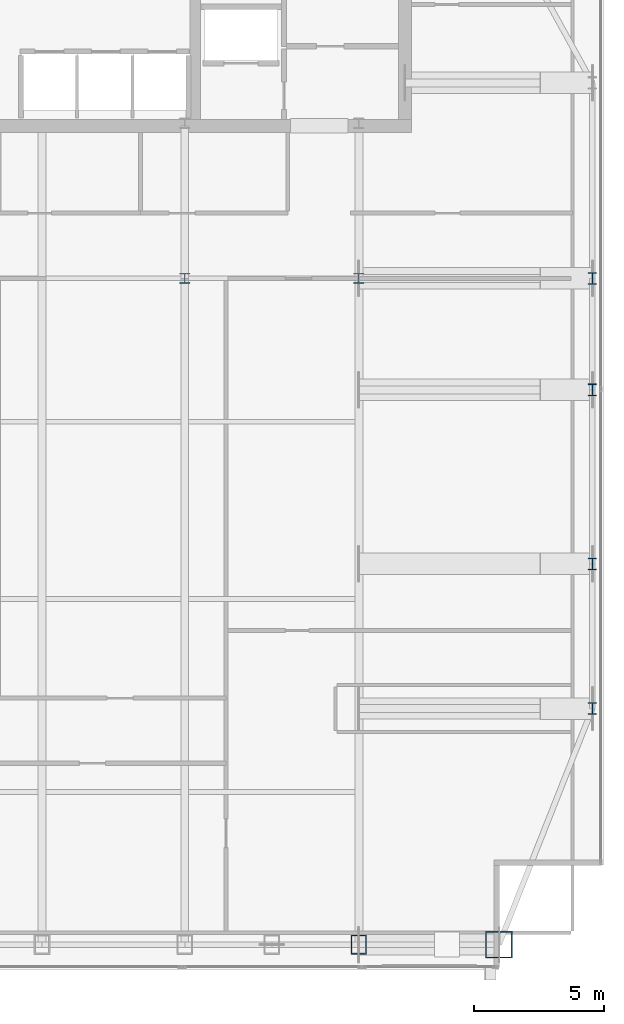
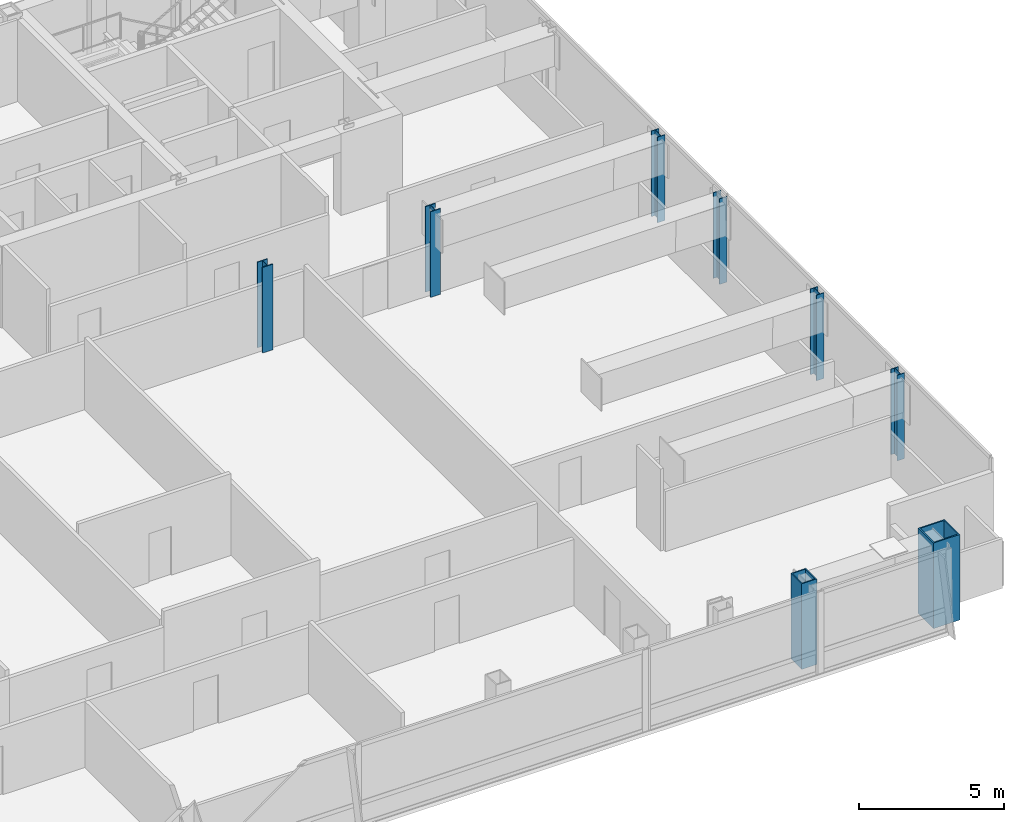
# One storey, part 2 of 26: 8 columns.
"""IFC4 building model written with IfcOpenShell, lengths in metres."""

from ifc_helpers import new_model, si_unit, direction, frame, origin, origin_2d, place, context, subcontext, project, spatial, hollow_rectangle, i_section, extrude, material, material_profile, profile_set, type_object, element, save


model = new_model("IFC4")

# Units and contexts
model_context = context("Model", 3, precision=1e-05, world=origin(), true_north=direction((0.0, 1.0)))
body_context = subcontext(model_context, "Body", "Model", "MODEL_VIEW")
ifc_project = project(units=[si_unit("LENGTHUNIT", "METRE"), si_unit("AREAUNIT", "SQUARE_METRE"), si_unit("VOLUMEUNIT", "CUBIC_METRE"), si_unit("PLANEANGLEUNIT", "RADIAN"), si_unit("MASSUNIT", "GRAM", prefix="KILO")], contexts=[model_context])

# Site, building, storey
site_placement = place(None, origin())
site = spatial("IfcSite", under=ifc_project, at=site_placement, CompositionType="ELEMENT")
building_placement = place(site_placement, origin())
building = spatial("IfcBuilding", under=site, at=building_placement, Name="Khoronbel Lancet Exchange", CompositionType="ELEMENT")
storey_placement = place(building_placement, frame((0.0, 0.0, 287.800048828125)))
storey = spatial("IfcBuildingStorey", under=building, at=storey_placement, Name="L74", CompositionType="ELEMENT", Elevation=287.800048828125)

# Columns
ifc_material_1 = material(Name="Steel S460", Category="steel")
ifc_material_profile_1 = material_profile(ifc_material_1, hollow_rectangle(XDim=0.60009765625, YDim=0.75, WallThickness=0.044921875, at=origin_2d()), Name="BOX 750x600x45")
ifc_profile_set_1 = profile_set([ifc_material_profile_1], Name="Steel S460")
column_type_1 = type_object("IfcColumnType", Name="COL-EC3", PredefinedType="COLUMN", material=ifc_profile_set_1)
column_1_placement = place(storey_placement, frame((54.675048828125, 10.14990234375, 0.0), z_axis=(0.0, 0.0, 1.0), x_axis=(1.0, 0.0, 0.0)))
element("IfcColumn", 1, at=column_1_placement, inside=storey, type_object=column_type_1, Name="Structural column SC-E2 L74", PredefinedType="COLUMN", context=body_context, shape_type="SweptSolid", body=[
    extrude(hollow_rectangle(XDim=0.60009765625, YDim=0.75, WallThickness=0.044921875, at=origin_2d()), origin(), (0.0, 0.0, 1.0), 3.599853515625),
])
ifc_material_2 = material(Name="Steel S355", Category="steel")
ifc_material_profile_2 = material_profile(ifc_material_2, i_section(OverallWidth=0.39892578125, OverallDepth=0.39306640625, WebThickness=0.022705078125, FlangeThickness=0.03662109375, at=origin_2d()), Name="HD 400x287")
ifc_profile_set_2 = profile_set([ifc_material_profile_2], Name="Steel S355")
column_type_2 = type_object("IfcColumnType", Name="COL-IC4", PredefinedType="COLUMN", material=ifc_profile_set_2)
for number, where, z_axis, x_axis, name in (
    (2, (48.0, 35.699951171875, 0.0), (0.0, 0.0, 1.0), (1.0, 0.0, 0.0), "Spine gravity column TC3 L74"),
    (3, (54.675048828125, 35.699951171875, 0.0), (0.0, 0.0, 1.0), (1.0, 0.0, 0.0), "Spine gravity column TC4 L74"),
):
    element("IfcColumn", number, at=place(storey_placement, frame(where, z_axis=z_axis, x_axis=x_axis)), inside=storey, type_object=column_type_2, Name=name, PredefinedType="COLUMN", context=body_context, shape_type="SweptSolid", body=[
        extrude(i_section(OverallWidth=0.39892578125, OverallDepth=0.39306640625, WebThickness=0.022705078125, FlangeThickness=0.03662109375, at=origin_2d()), origin(), (0.0, 0.0, 1.0), 3.599853515625),
    ])
ifc_material_profile_3 = material_profile(ifc_material_2, i_section(OverallWidth=0.300048828125, OverallDepth=0.449951171875, WebThickness=0.013916015625, FlangeThickness=0.02587890625, at=origin_2d()), Name="HEB 450")
ifc_profile_set_3 = profile_set([ifc_material_profile_3], Name="Steel S355")
column_type_3 = type_object("IfcColumnType", Name="COL-LC2", PredefinedType="COLUMN", material=ifc_profile_set_3)
for number, where, z_axis, x_axis, name in (
    (4, (63.6298828125, 19.199951171875, 0.0), (0.0, 0.0, 1.0), (1.0, 0.0, 0.0), "Structural column EC-1 L74"),
    (5, (63.6298828125, 24.75, 0.0), (0.0, 0.0, 1.0), (1.0, 0.0, 0.0), "Structural column EC-2 L74"),
    (6, (63.6298828125, 31.425048828125, 0.0), (0.0, 0.0, 1.0), (1.0, 0.0, 0.0), "Structural column EC-M L74"),
    (7, (63.6298828125, 35.699951171875, 0.0), (0.0, 0.0, 1.0), (1.0, 0.0, 0.0), "Structural column EC-3 L74"),
):
    element("IfcColumn", number, at=place(storey_placement, frame(where, z_axis=z_axis, x_axis=x_axis)), inside=storey, type_object=column_type_3, Name=name, PredefinedType="COLUMN", context=body_context, shape_type="SweptSolid", body=[
        extrude(i_section(OverallWidth=0.300048828125, OverallDepth=0.449951171875, WebThickness=0.013916015625, FlangeThickness=0.02587890625, at=origin_2d()), origin(), (0.0, 0.0, 1.0), 3.599853515625),
    ])
ifc_material_profile_4 = material_profile(ifc_material_1, hollow_rectangle(XDim=1.050048828125, YDim=1.050048828125, WallThickness=0.054931640625, at=origin_2d()), Name="BOX 1050x1050x55")
ifc_profile_set_4 = profile_set([ifc_material_profile_4], Name="Steel S460")
column_type_4 = type_object("IfcColumnType", Name="COL-MC6", PredefinedType="COLUMN", material=ifc_profile_set_4)
column_2_placement = place(storey_placement, frame((60.050048828125, 10.14990234375, 0.0), z_axis=(0.0, 0.0, 1.0), x_axis=(1.0, 0.0, 0.0)))
element("IfcColumn", 8, at=column_2_placement, inside=storey, type_object=column_type_4, Name="Structural column MC-SE L74", PredefinedType="COLUMN", context=body_context, shape_type="SweptSolid", body=[
    extrude(hollow_rectangle(XDim=1.050048828125, YDim=1.050048828125, WallThickness=0.054931640625, at=origin_2d()), origin(), (0.0, 0.0, 1.0), 3.599853515625),
])

save(model, "model.ifc")
